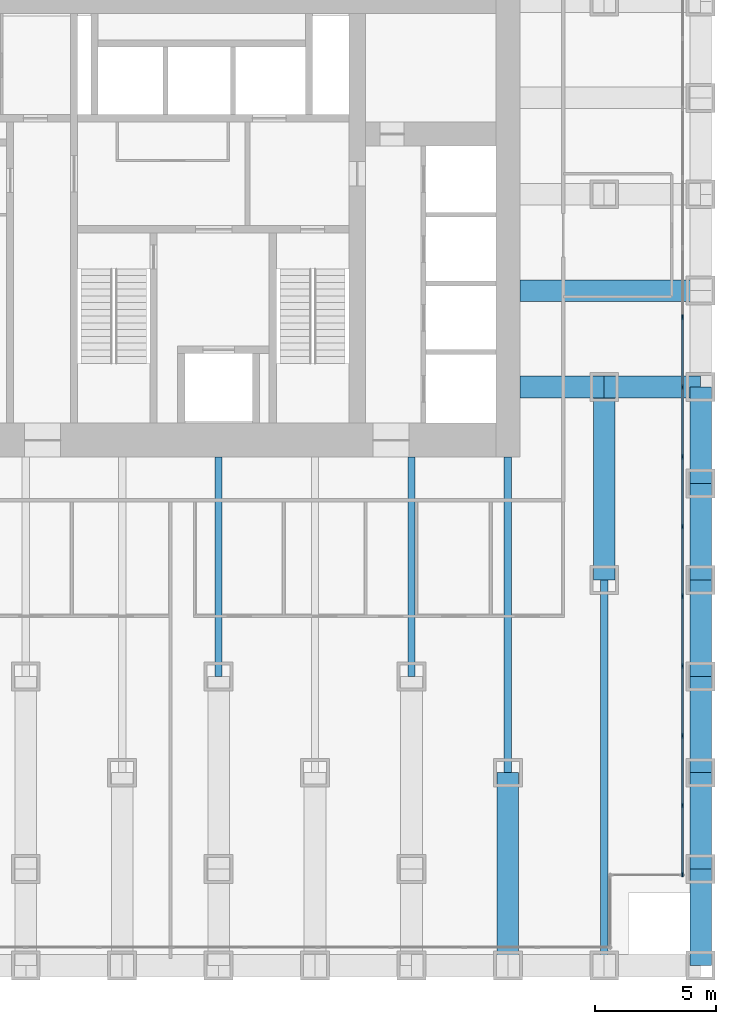
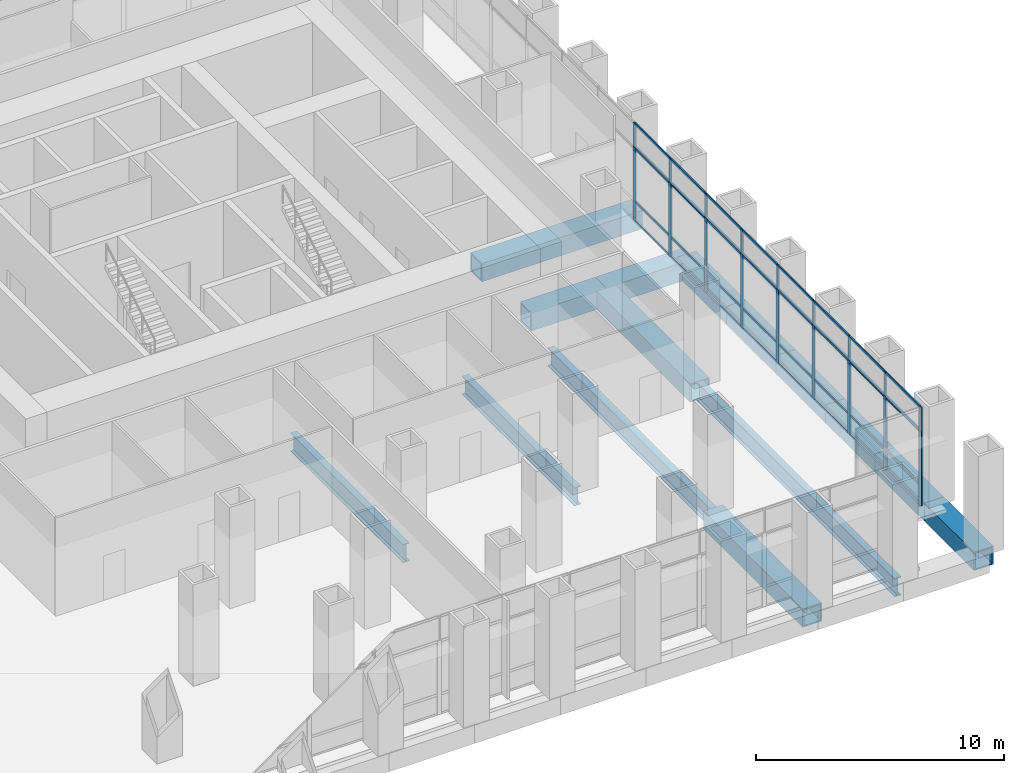
# One storey, part 6 of 18: 58 members, 15 beams, 2 elements without a shape of their own.
"""IFC4 building model written with IfcOpenShell, lengths in metres."""

import ifcopenshell
import ifcopenshell.guid

model = None  # the IFC model being written
_history = None  # IfcOwnerHistory: only IFC2X3 demands one
_inside = {}  # id of a spatial element -> (the spatial element, [elements in it])
_under = {}  # id of a project, library or spatial element -> (it, [spatial elements below it])
_declared = {}  # id of a project -> (the project, [libraries it declares])
_typed = {}  # id of a type object -> (the type object, [elements of that type])
_made_of = {}  # id of a material, layer set ... -> (it, [elements and type objects made of it])


def new_model(schema):
    """Start an empty IFC model of exactly this schema.

    Asked for "IFC4X3", IfcOpenShell would pick the latest addendum, in which some entities
    have other attributes; the version numbers below select the first issue.
    IFC2X3 requires an IfcOwnerHistory on every rooted entity: one is made here for all.
    """
    global model, _history
    if schema == "IFC4X3":
        model = ifcopenshell.file(schema_version=(4, 3, 0, 0))
    else:
        model = ifcopenshell.file(schema=schema)
    _inside.clear()
    _under.clear()
    _declared.clear()
    _typed.clear()
    _made_of.clear()
    _history = None
    if model.schema == "IFC2X3":
        org = make("IfcOrganization", Name="unknown")
        user = make(
            "IfcPersonAndOrganization",
            ThePerson=make("IfcPerson", FamilyName="unknown"),
            TheOrganization=org,
        )
        app = make(
            "IfcApplication",
            ApplicationDeveloper=org,
            Version="unknown",
            ApplicationFullName="unknown",
            ApplicationIdentifier="unknown",
        )
        _history = make(
            "IfcOwnerHistory",
            OwningUser=user,
            OwningApplication=app,
            ChangeAction="ADDED",
            CreationDate=0,
        )
    return model


def make(cls, **values):
    """One entity of the class cls with the attributes given. An attribute that is None is left unset."""
    return model.create_entity(
        cls, **{name: value for name, value in values.items() if value is not None}
    )


def rooted(cls, **values):
    """An entity with a GlobalId (a new one), such as an element, a storey or a relation."""
    return make(cls, GlobalId=ifcopenshell.guid.new(), OwnerHistory=_history, **values)


def si_unit(unit_type, name, prefix=None):
    """IfcSIUnit, for example si_unit("LENGTHUNIT", "METRE", prefix="MILLI")."""
    return make("IfcSIUnit", UnitType=unit_type, Prefix=prefix, Name=name)


def assignment(units):
    """IfcUnitAssignment: the units of a project."""
    return None if units is None else make("IfcUnitAssignment", Units=units)


def point(xyz):
    """IfcCartesianPoint."""
    return None if xyz is None else make("IfcCartesianPoint", Coordinates=xyz)


def direction(xyz):
    """IfcDirection."""
    return None if xyz is None else make("IfcDirection", DirectionRatios=xyz)


def frame(location, z_axis=None, x_axis=None):
    """IfcAxis2Placement3D, a coordinate frame: its origin and axes. An axis left out is left unset."""
    return make(
        "IfcAxis2Placement3D",
        Location=point(location),
        Axis=direction(z_axis),
        RefDirection=direction(x_axis),
    )


def frame_2d(location, x_axis=None):
    """IfcAxis2Placement2D, a coordinate frame in the plane: its origin and x axis."""
    return make(
        "IfcAxis2Placement2D", Location=point(location), RefDirection=direction(x_axis)
    )


def origin():
    """The frame at (0, 0, 0) with its axes left unset."""
    return frame((0.0, 0.0, 0.0))


def origin_2d():
    """The frame at (0, 0) in the plane with its x axis left unset."""
    return frame_2d((0.0, 0.0))


def place(relative_to, where):
    """IfcLocalPlacement: puts the frame where relative to a parent placement (None: the world)."""
    return make(
        "IfcLocalPlacement", PlacementRelTo=relative_to, RelativePlacement=where
    )


def context(
    kind, dimensions, precision=None, world=None, true_north=None, identifier=None
):
    """IfcGeometricRepresentationContext, for example the 3D "Model" context."""
    return make(
        "IfcGeometricRepresentationContext",
        ContextIdentifier=identifier,
        ContextType=kind,
        CoordinateSpaceDimension=dimensions,
        Precision=precision,
        WorldCoordinateSystem=world,
        TrueNorth=true_north,
    )


def subcontext(parent, identifier, kind, view, scale=None):
    """IfcGeometricRepresentationSubContext, for example "Body" below "Model"."""
    return make(
        "IfcGeometricRepresentationSubContext",
        ContextIdentifier=identifier,
        ContextType=kind,
        ParentContext=parent,
        TargetScale=scale,
        TargetView=view,
    )


def project(units=None, contexts=None):
    """IfcProject with its units and contexts."""
    return rooted(
        "IfcProject",
        Name="project",
        RepresentationContexts=contexts,
        UnitsInContext=assignment(units),
    )


def spatial(cls, under=None, at=None, **own):
    """A site, building, storey or space (cls), placed at a placement, below another one or the project."""
    s = rooted(cls, ObjectPlacement=at, **own)
    if under is not None:
        _under.setdefault(under.id(), (under, []))[1].append(s)
    return s


def profile(cls, at=None, kind="AREA", **sizes):
    """A parametric profile (cls). Its sizes go by their IFC names, for example OverallWidth=200.0."""
    return make(cls, ProfileType=kind, Position=at, **sizes)


def rectangle(**sizes):
    """IfcRectangleProfileDef."""
    return profile("IfcRectangleProfileDef", **sizes)


def hollow_rectangle(**sizes):
    """IfcRectangleHollowProfileDef."""
    return profile("IfcRectangleHollowProfileDef", **sizes)


def i_section(**sizes):
    """IfcIShapeProfileDef."""
    return profile("IfcIShapeProfileDef", **sizes)


def extrude(swept, where, along, depth):
    """IfcExtrudedAreaSolid: the profile swept, set in the frame where, extruded along a direction by depth."""
    return make(
        "IfcExtrudedAreaSolid",
        SweptArea=swept,
        Position=where,
        ExtrudedDirection=direction(along),
        Depth=depth,
    )


def shape(context_of_items, identifier, shape_type, items):
    """IfcShapeRepresentation: the items that make up one representation, for example the "Body"."""
    return make(
        "IfcShapeRepresentation",
        ContextOfItems=context_of_items,
        RepresentationIdentifier=identifier,
        RepresentationType=shape_type,
        Items=items,
    )


def material(Name=None, Category=None):
    """IfcMaterial."""
    return make("IfcMaterial", Name=Name, Category=Category)


def material_profile(
    of_material, cross_section, Name=None, Category=None, Priority=None
):
    """IfcMaterialProfile: a cross section and its material."""
    return make(
        "IfcMaterialProfile",
        Name=Name,
        Material=of_material,
        Profile=cross_section,
        Priority=Priority,
        Category=Category,
    )


def profile_set(profiles, Name=None, composite=None):
    """IfcMaterialProfileSet."""
    return make(
        "IfcMaterialProfileSet",
        Name=Name,
        MaterialProfiles=profiles,
        CompositeProfile=composite,
    )


def made_of(thing, what):
    """Note that an element or type object is made of a material, layer set ...; save() writes the relation."""
    if what is not None:
        _made_of.setdefault(what.id(), (what, []))[1].append(thing)
    return thing


def type_object(cls, material=None, **own):
    """A type object (cls), such as IfcWallType, which elements share."""
    return made_of(rooted(cls, **own), material)


def element(
    cls,
    number,
    at=None,
    inside=None,
    cuts=None,
    type_object=None,
    material=None,
    context=None,
    identifier="Body",
    shape_type=None,
    held_by="IfcProductDefinitionShape",
    body=None,
    shapes=None,
    **own,
):
    """One element of the class cls, such as IfcWall. Its Tag is "e" and its number.

    at: its placement. inside: the storey or other place that contains it. cuts: it is an
    opening in that element (IfcRelVoidsElement). A single representation is given by context,
    identifier, shape_type and body (its items); several are given by shapes. held_by: the class
    of the entity that holds the representations. save() writes the other relations.
    """
    e = rooted(cls, Tag="e%d" % number, ObjectPlacement=at, **own)
    if body is not None:
        shapes = [shape(context, identifier, shape_type, body)]
    if shapes is not None:
        e.Representation = make(held_by, Representations=shapes)
    if inside is not None:
        _inside.setdefault(inside.id(), (inside, []))[1].append(e)
    if cuts is not None:
        rooted(
            "IfcRelVoidsElement", RelatingBuildingElement=cuts, RelatedOpeningElement=e
        )
    if type_object is not None:
        _typed.setdefault(type_object.id(), (type_object, []))[1].append(e)
    return made_of(e, material)


def aggregate(whole, parts):
    """IfcRelAggregates: a whole, such as a stair, and the parts it consists of."""
    return rooted("IfcRelAggregates", RelatingObject=whole, RelatedObjects=parts)


def save(model, path):
    """Write the relations noted so far, then the file.

    IfcRelAggregates (storeys below a building ...), IfcRelContainedInSpatialStructure (elements
    in a storey), IfcRelDefinesByType, IfcRelAssociatesMaterial and IfcRelDeclares: one each for
    every whole, place, type object, material and project.
    """
    for whole, parts in _under.values():
        aggregate(whole, parts)
    for where, things in _inside.values():
        rooted(
            "IfcRelContainedInSpatialStructure",
            RelatedElements=things,
            RelatingStructure=where,
        )
    for kind, things in _typed.values():
        rooted("IfcRelDefinesByType", RelatedObjects=things, RelatingType=kind)
    for what, things in _made_of.values():
        rooted("IfcRelAssociatesMaterial", RelatedObjects=things, RelatingMaterial=what)
    for by, libraries in _declared.values():
        rooted("IfcRelDeclares", RelatingContext=by, RelatedDefinitions=libraries)
    model.write(path)


model = new_model("IFC4")

# Units and contexts
model_context = context("Model", 3, precision=1e-05, world=origin(), true_north=direction((0.0, 1.0)))
body_context = subcontext(model_context, "Body", "Model", "MODEL_VIEW")
ifc_project = project(units=[si_unit("LENGTHUNIT", "METRE"), si_unit("AREAUNIT", "SQUARE_METRE"), si_unit("VOLUMEUNIT", "CUBIC_METRE"), si_unit("PLANEANGLEUNIT", "RADIAN"), si_unit("MASSUNIT", "GRAM", prefix="KILO")], contexts=[model_context])

# Site, building, storey
site_placement = place(None, origin())
site = spatial("IfcSite", under=ifc_project, at=site_placement, CompositionType="ELEMENT")
building_placement = place(site_placement, origin())
building = spatial("IfcBuilding", under=site, at=building_placement, Name="Rimbunsela Tower", CompositionType="ELEMENT")
storey_placement = place(building_placement, frame((0.0, 0.0, 6.0)))
storey = spatial("IfcBuildingStorey", under=building, at=storey_placement, Name="L01", CompositionType="ELEMENT", Elevation=6.0)

# Beams
ifc_material_1 = material(Name="Steel BJ 55 (fy 410 MPa)", Category="steel")
ifc_material_profile_1 = material_profile(ifc_material_1, hollow_rectangle(XDim=0.89990234375, YDim=0.89990234375, WallThickness=0.06005859375, at=origin_2d()), Name="BOX 900x900x60")
ifc_profile_set_1 = profile_set([ifc_material_profile_1], Name="Steel BJ 55 (fy 410 MPa)")
beam_type_1 = type_object("IfcBeamType", Name="Beam BOX 900x900x60", PredefinedType="BEAM", material=ifc_profile_set_1)
beam_1_placement = place(storey_placement, frame((42.0, -4.0, -0.60009765625), z_axis=(0.0, 1.0, 0.0), x_axis=(-1.0, 0.0, 0.0)))
element("IfcBeam", 1, at=beam_1_placement, inside=storey, type_object=beam_type_1, Name="Beam B1 L01", PredefinedType="BEAM", context=body_context, shape_type="SweptSolid", body=[
    extrude(hollow_rectangle(XDim=0.89990234375, YDim=0.89990234375, WallThickness=0.06005859375, at=origin_2d()), origin(), (0.0, 0.0, 1.0), 8.0),
])
beam_2_placement = place(storey_placement, frame((42.5, 20.0, -0.60009765625), z_axis=(1.0, 0.0, 0.0), x_axis=(0.0, 1.0, 0.0)))
element("IfcBeam", 2, at=beam_2_placement, inside=storey, type_object=beam_type_1, Name="Beam B1 L01", PredefinedType="BEAM", context=body_context, shape_type="SweptSolid", body=[
    extrude(hollow_rectangle(XDim=0.89990234375, YDim=0.89990234375, WallThickness=0.06005859375, at=origin_2d()), origin(), (0.0, 0.0, 1.0), 3.5),
])
beam_3_placement = place(storey_placement, frame((42.5, 24.0, -0.60009765625), z_axis=(1.0, 0.0, 0.0), x_axis=(0.0, 1.0, 0.0)))
element("IfcBeam", 3, at=beam_3_placement, inside=storey, type_object=beam_type_1, Name="Beam B1 L01", PredefinedType="BEAM", context=body_context, shape_type="SweptSolid", body=[
    extrude(hollow_rectangle(XDim=0.89990234375, YDim=0.89990234375, WallThickness=0.06005859375, at=origin_2d()), origin(), (0.0, 0.0, 1.0), 7.5),
])
beam_4_placement = place(storey_placement, frame((46.0, 12.0, -0.60009765625), z_axis=(0.0, 1.0, 0.0), x_axis=(-1.0, 0.0, 0.0)))
element("IfcBeam", 4, at=beam_4_placement, inside=storey, type_object=beam_type_1, Name="Beam B1 L01", PredefinedType="BEAM", context=body_context, shape_type="SweptSolid", body=[
    extrude(hollow_rectangle(XDim=0.89990234375, YDim=0.89990234375, WallThickness=0.06005859375, at=origin_2d()), origin(), (0.0, 0.0, 1.0), 8.0),
])
for number, where, z_axis, x_axis, name in (
    (5, (46.0, 20.0, -0.60009765625), (1.0, 0.0, 0.0), (0.0, 1.0, 0.0), "Beam B1 L01"),
    (6, (50.0, -4.0, -0.60009765625), (0.0, 1.0, 0.0), (-1.0, 0.0, 0.0), "Beam B1 L01"),
    (7, (50.0, 0.0, -0.60009765625), (0.0, 1.0, 0.0), (-1.0, 0.0, 0.0), "Beam B1 L01"),
    (8, (50.0, 4.0, -0.60009765625), (0.0, 1.0, 0.0), (-1.0, 0.0, 0.0), "Beam B1 L01"),
    (9, (50.0, 8.0, -0.60009765625), (0.0, 1.0, 0.0), (-1.0, 0.0, 0.0), "Beam B1 L01"),
    (10, (50.0, 12.0, -0.60009765625), (0.0, 1.0, 0.0), (-1.0, 0.0, 0.0), "Beam B1 L01"),
    (11, (50.0, 16.0, -0.60009765625), (0.0, 1.0, 0.0), (-1.0, 0.0, 0.0), "Beam B1 L01"),
):
    element("IfcBeam", number, at=place(storey_placement, frame(where, z_axis=z_axis, x_axis=x_axis)), inside=storey, type_object=beam_type_1, Name=name, PredefinedType="BEAM", context=body_context, shape_type="SweptSolid", body=[
        extrude(hollow_rectangle(XDim=0.89990234375, YDim=0.89990234375, WallThickness=0.06005859375, at=origin_2d()), origin(), (0.0, 0.0, 1.0), 4.0),
    ])
ifc_material_2 = material(Name="Steel BJ 55 (fy 410 MPa)", Category="steel")
ifc_material_profile_2 = material_profile(ifc_material_2, i_section(OverallWidth=0.300048828125, OverallDepth=0.89990234375, WebThickness=0.01611328125, FlangeThickness=0.028076171875, FilletRadius=0.028076171875, at=origin_2d()), Name="H 900x300x16x28")
ifc_profile_set_2 = profile_set([ifc_material_profile_2], Name="Steel BJ 55 (fy 410 MPa)")
beam_type_2 = type_object("IfcBeamType", Name="Beam H 900x300x16x28", PredefinedType="BEAM", material=ifc_profile_set_2)
for number, where, z_axis, x_axis, name in (
    (12, (30.0, 8.0, -0.60009765625), (0.0, 1.0, 0.0), (-1.0, 0.0, 0.0), "Beam B2 L01"),
    (13, (38.0, 8.0, -0.60009765625), (0.0, 1.0, 0.0), (-1.0, 0.0, 0.0), "Beam B2 L01"),
):
    element("IfcBeam", number, at=place(storey_placement, frame(where, z_axis=z_axis, x_axis=x_axis)), inside=storey, type_object=beam_type_2, Name=name, PredefinedType="BEAM", context=body_context, shape_type="SweptSolid", body=[
        extrude(i_section(OverallWidth=0.300048828125, OverallDepth=0.89990234375, WebThickness=0.01611328125, FlangeThickness=0.028076171875, FilletRadius=0.028076171875, at=origin_2d()), origin(), (0.0, 0.0, 1.0), 9.10009765625),
    ])
beam_5_placement = place(storey_placement, frame((42.0, 4.0, -0.60009765625), z_axis=(0.0, 1.0, 0.0), x_axis=(-1.0, 0.0, 0.0)))
element("IfcBeam", 14, at=beam_5_placement, inside=storey, type_object=beam_type_2, Name="Beam B2 L01", PredefinedType="BEAM", context=body_context, shape_type="SweptSolid", body=[
    extrude(i_section(OverallWidth=0.300048828125, OverallDepth=0.89990234375, WebThickness=0.01611328125, FlangeThickness=0.028076171875, FilletRadius=0.028076171875, at=origin_2d()), origin(), (0.0, 0.0, 1.0), 13.10009765625),
])
beam_6_placement = place(storey_placement, frame((46.0, -4.0, -0.60009765625), z_axis=(0.0, 1.0, 0.0), x_axis=(-1.0, 0.0, 0.0)))
element("IfcBeam", 15, at=beam_6_placement, inside=storey, type_object=beam_type_2, Name="Beam B2 L01", PredefinedType="BEAM", context=body_context, shape_type="SweptSolid", body=[
    extrude(i_section(OverallWidth=0.300048828125, OverallDepth=0.89990234375, WebThickness=0.01611328125, FlangeThickness=0.028076171875, FilletRadius=0.028076171875, at=origin_2d()), origin(), (0.0, 0.0, 1.0), 16.0),
])

# Curtain wall, members
ifc_material_3 = material(Name="Aluminium curtain wall", Category="aluminium")
curtain_wall_type_1 = type_object("IfcCurtainWallType", Name="Spandrel wall", PredefinedType="USERDEFINED", material=ifc_material_3)
curtain_wall_1_placement = place(storey_placement, origin())
curtain_wall_1 = element("IfcCurtainWall", 16, at=curtain_wall_1_placement, inside=storey, type_object=curtain_wall_type_1, Name="Spandrel wall L01", ObjectType="SPANDREL WALL", PredefinedType="USERDEFINED")
ifc_material_4 = material(Name="Aluminium mullion", Category="aluminium")
ifc_material_profile_3 = material_profile(ifc_material_4, rectangle(XDim=0.06005859375, YDim=0.159912109375, at=origin_2d()), Name="Mullion 60x160")
ifc_profile_set_3 = profile_set([ifc_material_profile_3], Name="Aluminium mullion")
member_type_1 = type_object("IfcMemberType", Name="Curtain wall mullion 60x160", PredefinedType="MULLION", material=ifc_profile_set_3)
member_1_placement = place(storey_placement, frame((49.25, -0.219970703125, 3.64990234375), z_axis=(0.0, 0.0, 1.0), x_axis=(-1.0, 0.0, 0.0)))
member_1 = element("IfcMember", 17, at=member_1_placement, type_object=member_type_1, Name="CW7 mullion 1", PredefinedType="MULLION", context=body_context, shape_type="SweptSolid", body=[
    extrude(rectangle(XDim=0.06005859375, YDim=0.159912109375, at=origin_2d()), origin(), (0.0, 0.0, 1.0), 1.2001953125),
])
member_2_placement = place(storey_placement, frame((49.25, 2.642822265625, 3.64990234375), z_axis=(0.0, 0.0, 1.0), x_axis=(-1.0, 0.0, 0.0)))
member_2 = element("IfcMember", 18, at=member_2_placement, type_object=member_type_1, Name="CW7 mullion 2", PredefinedType="MULLION", context=body_context, shape_type="SweptSolid", body=[
    extrude(rectangle(XDim=0.06005859375, YDim=0.159912109375, at=origin_2d()), origin(), (0.0, 0.0, 1.0), 1.2001953125),
])
member_3_placement = place(storey_placement, frame((49.25, 5.53564453125, 3.64990234375), z_axis=(0.0, 0.0, 1.0), x_axis=(-1.0, 0.0, 0.0)))
member_3 = element("IfcMember", 19, at=member_3_placement, type_object=member_type_1, Name="CW7 mullion 3", PredefinedType="MULLION", context=body_context, shape_type="SweptSolid", body=[
    extrude(rectangle(XDim=0.06005859375, YDim=0.159912109375, at=origin_2d()), origin(), (0.0, 0.0, 1.0), 1.2001953125),
])
member_4_placement = place(storey_placement, frame((49.25, 8.428466796875, 3.64990234375), z_axis=(0.0, 0.0, 1.0), x_axis=(-1.0, 0.0, 0.0)))
member_4 = element("IfcMember", 20, at=member_4_placement, type_object=member_type_1, Name="CW7 mullion 4", PredefinedType="MULLION", context=body_context, shape_type="SweptSolid", body=[
    extrude(rectangle(XDim=0.06005859375, YDim=0.159912109375, at=origin_2d()), origin(), (0.0, 0.0, 1.0), 1.2001953125),
])
member_5_placement = place(storey_placement, frame((49.25, 11.321533203125, 3.64990234375), z_axis=(0.0, 0.0, 1.0), x_axis=(-1.0, 0.0, 0.0)))
member_5 = element("IfcMember", 21, at=member_5_placement, type_object=member_type_1, Name="CW7 mullion 5", PredefinedType="MULLION", context=body_context, shape_type="SweptSolid", body=[
    extrude(rectangle(XDim=0.06005859375, YDim=0.159912109375, at=origin_2d()), origin(), (0.0, 0.0, 1.0), 1.2001953125),
])
member_6_placement = place(storey_placement, frame((49.25, 14.21435546875, 3.64990234375), z_axis=(0.0, 0.0, 1.0), x_axis=(-1.0, 0.0, 0.0)))
member_6 = element("IfcMember", 22, at=member_6_placement, type_object=member_type_1, Name="CW7 mullion 6", PredefinedType="MULLION", context=body_context, shape_type="SweptSolid", body=[
    extrude(rectangle(XDim=0.06005859375, YDim=0.159912109375, at=origin_2d()), origin(), (0.0, 0.0, 1.0), 1.2001953125),
])
member_7_placement = place(storey_placement, frame((49.25, 17.107177734375, 3.64990234375), z_axis=(0.0, 0.0, 1.0), x_axis=(-1.0, 0.0, 0.0)))
member_7 = element("IfcMember", 23, at=member_7_placement, type_object=member_type_1, Name="CW7 mullion 7", PredefinedType="MULLION", context=body_context, shape_type="SweptSolid", body=[
    extrude(rectangle(XDim=0.06005859375, YDim=0.159912109375, at=origin_2d()), origin(), (0.0, 0.0, 1.0), 1.2001953125),
])
member_8_placement = place(storey_placement, frame((49.25, 20.0, 3.64990234375), z_axis=(0.0, 0.0, 1.0), x_axis=(-1.0, 0.0, 0.0)))
member_8 = element("IfcMember", 24, at=member_8_placement, type_object=member_type_1, Name="CW7 mullion 8", PredefinedType="MULLION", context=body_context, shape_type="SweptSolid", body=[
    extrude(rectangle(XDim=0.06005859375, YDim=0.159912109375, at=origin_2d()), origin(), (0.0, 0.0, 1.0), 1.2001953125),
])
member_9_placement = place(storey_placement, frame((49.25, 22.892822265625, 3.64990234375), z_axis=(0.0, 0.0, 1.0), x_axis=(-1.0, 0.0, 0.0)))
member_9 = element("IfcMember", 25, at=member_9_placement, type_object=member_type_1, Name="CW7 mullion 9", PredefinedType="MULLION", context=body_context, shape_type="SweptSolid", body=[
    extrude(rectangle(XDim=0.06005859375, YDim=0.159912109375, at=origin_2d()), origin(), (0.0, 0.0, 1.0), 1.2001953125),
])

ifc_material_5 = material(Name="Aluminium curtain wall", Category="aluminium")
curtain_wall_type_2 = type_object("IfcCurtainWallType", Name="Podium glazing", PredefinedType="USERDEFINED", material=ifc_material_5)
curtain_wall_2_placement = place(storey_placement, origin())
curtain_wall_2 = element("IfcCurtainWall", 26, at=curtain_wall_2_placement, inside=storey, type_object=curtain_wall_type_2, Name="Podium glazing L01", ObjectType="PODIUM GLAZING", PredefinedType="USERDEFINED")
ifc_material_6 = material(Name="Aluminium mullion", Category="aluminium")
ifc_material_profile_4 = material_profile(ifc_material_6, rectangle(XDim=0.06005859375, YDim=0.199951171875, at=origin_2d()), Name="Mullion 60x200")
ifc_profile_set_4 = profile_set([ifc_material_profile_4], Name="Aluminium mullion")
member_type_2 = type_object("IfcMemberType", Name="Curtain wall mullion 60x200", PredefinedType="MULLION", material=ifc_profile_set_4)
member_10_placement = place(storey_placement, frame((49.25, -0.219970703125, 0.0), z_axis=(0.0, 0.0, 1.0), x_axis=(-1.0, 0.0, 0.0)))
member_10 = element("IfcMember", 27, at=member_10_placement, type_object=member_type_2, Name="CW1 mullion 1", PredefinedType="MULLION", context=body_context, shape_type="SweptSolid", body=[
    extrude(rectangle(XDim=0.06005859375, YDim=0.199951171875, at=origin_2d()), origin(), (0.0, 0.0, 1.0), 3.64990234375),
])
member_11_placement = place(storey_placement, frame((49.25, 2.642822265625, 0.0), z_axis=(0.0, 0.0, 1.0), x_axis=(-1.0, 0.0, 0.0)))
member_11 = element("IfcMember", 28, at=member_11_placement, type_object=member_type_2, Name="CW1 mullion 2", PredefinedType="MULLION", context=body_context, shape_type="SweptSolid", body=[
    extrude(rectangle(XDim=0.06005859375, YDim=0.199951171875, at=origin_2d()), origin(), (0.0, 0.0, 1.0), 3.64990234375),
])
member_12_placement = place(storey_placement, frame((49.25, 5.53564453125, 0.0), z_axis=(0.0, 0.0, 1.0), x_axis=(-1.0, 0.0, 0.0)))
member_12 = element("IfcMember", 29, at=member_12_placement, type_object=member_type_2, Name="CW1 mullion 3", PredefinedType="MULLION", context=body_context, shape_type="SweptSolid", body=[
    extrude(rectangle(XDim=0.06005859375, YDim=0.199951171875, at=origin_2d()), origin(), (0.0, 0.0, 1.0), 3.64990234375),
])
member_13_placement = place(storey_placement, frame((49.25, 8.428466796875, 0.0), z_axis=(0.0, 0.0, 1.0), x_axis=(-1.0, 0.0, 0.0)))
member_13 = element("IfcMember", 30, at=member_13_placement, type_object=member_type_2, Name="CW1 mullion 4", PredefinedType="MULLION", context=body_context, shape_type="SweptSolid", body=[
    extrude(rectangle(XDim=0.06005859375, YDim=0.199951171875, at=origin_2d()), origin(), (0.0, 0.0, 1.0), 3.64990234375),
])
member_14_placement = place(storey_placement, frame((49.25, 11.321533203125, 0.0), z_axis=(0.0, 0.0, 1.0), x_axis=(-1.0, 0.0, 0.0)))
member_14 = element("IfcMember", 31, at=member_14_placement, type_object=member_type_2, Name="CW1 mullion 5", PredefinedType="MULLION", context=body_context, shape_type="SweptSolid", body=[
    extrude(rectangle(XDim=0.06005859375, YDim=0.199951171875, at=origin_2d()), origin(), (0.0, 0.0, 1.0), 3.64990234375),
])
member_15_placement = place(storey_placement, frame((49.25, 14.21435546875, 0.0), z_axis=(0.0, 0.0, 1.0), x_axis=(-1.0, 0.0, 0.0)))
member_15 = element("IfcMember", 32, at=member_15_placement, type_object=member_type_2, Name="CW1 mullion 6", PredefinedType="MULLION", context=body_context, shape_type="SweptSolid", body=[
    extrude(rectangle(XDim=0.06005859375, YDim=0.199951171875, at=origin_2d()), origin(), (0.0, 0.0, 1.0), 3.64990234375),
])
member_16_placement = place(storey_placement, frame((49.25, 17.107177734375, 0.0), z_axis=(0.0, 0.0, 1.0), x_axis=(-1.0, 0.0, 0.0)))
member_16 = element("IfcMember", 33, at=member_16_placement, type_object=member_type_2, Name="CW1 mullion 7", PredefinedType="MULLION", context=body_context, shape_type="SweptSolid", body=[
    extrude(rectangle(XDim=0.06005859375, YDim=0.199951171875, at=origin_2d()), origin(), (0.0, 0.0, 1.0), 3.64990234375),
])
member_17_placement = place(storey_placement, frame((49.25, 20.0, 0.0), z_axis=(0.0, 0.0, 1.0), x_axis=(-1.0, 0.0, 0.0)))
member_17 = element("IfcMember", 34, at=member_17_placement, type_object=member_type_2, Name="CW1 mullion 8", PredefinedType="MULLION", context=body_context, shape_type="SweptSolid", body=[
    extrude(rectangle(XDim=0.06005859375, YDim=0.199951171875, at=origin_2d()), origin(), (0.0, 0.0, 1.0), 3.64990234375),
])
member_18_placement = place(storey_placement, frame((49.25, 22.892822265625, 0.0), z_axis=(0.0, 0.0, 1.0), x_axis=(-1.0, 0.0, 0.0)))
member_18 = element("IfcMember", 35, at=member_18_placement, type_object=member_type_2, Name="CW1 mullion 9", PredefinedType="MULLION", context=body_context, shape_type="SweptSolid", body=[
    extrude(rectangle(XDim=0.06005859375, YDim=0.199951171875, at=origin_2d()), origin(), (0.0, 0.0, 1.0), 3.64990234375),
])
ifc_material_7 = material(Name="Aluminium transom", Category="aluminium")
ifc_material_profile_5 = material_profile(ifc_material_7, rectangle(XDim=0.06005859375, YDim=0.1201171875, at=origin_2d()), Name="Transom 60x120")
ifc_profile_set_5 = profile_set([ifc_material_profile_5], Name="Aluminium transom")
member_type_3 = type_object("IfcMemberType", Name="Curtain wall transom 60x120", PredefinedType="USERDEFINED", material=ifc_profile_set_5)
member_19_placement = place(storey_placement, frame((49.25, -0.18994140625, 0.030029296875), z_axis=(0.0, 1.0, 0.0), x_axis=(-1.0, 0.0, 0.0)))
member_19 = element("IfcMember", 36, at=member_19_placement, type_object=member_type_3, Name="CW1 transom 1.1", ObjectType="TRANSOM", PredefinedType="USERDEFINED", context=body_context, shape_type="SweptSolid", body=[
    extrude(rectangle(XDim=0.06005859375, YDim=0.1201171875, at=origin_2d()), origin(), (0.0, 0.0, 1.0), 2.802734375),
])
member_20_placement = place(storey_placement, frame((49.25, -0.18994140625, 1.0), z_axis=(0.0, 1.0, 0.0), x_axis=(-1.0, 0.0, 0.0)))
member_20 = element("IfcMember", 37, at=member_20_placement, type_object=member_type_3, Name="CW1 transom 1.2", ObjectType="TRANSOM", PredefinedType="USERDEFINED", context=body_context, shape_type="SweptSolid", body=[
    extrude(rectangle(XDim=0.06005859375, YDim=0.1201171875, at=origin_2d()), origin(), (0.0, 0.0, 1.0), 2.802734375),
])
member_21_placement = place(storey_placement, frame((49.25, -0.18994140625, 3.6201171875), z_axis=(0.0, 1.0, 0.0), x_axis=(-1.0, 0.0, 0.0)))
member_21 = element("IfcMember", 38, at=member_21_placement, type_object=member_type_3, Name="CW1 transom 1.3", ObjectType="TRANSOM", PredefinedType="USERDEFINED", context=body_context, shape_type="SweptSolid", body=[
    extrude(rectangle(XDim=0.06005859375, YDim=0.1201171875, at=origin_2d()), origin(), (0.0, 0.0, 1.0), 2.802734375),
])
member_22_placement = place(storey_placement, frame((49.25, 2.6728515625, 0.030029296875), z_axis=(0.0, 1.0, 0.0), x_axis=(-1.0, 0.0, 0.0)))
member_22 = element("IfcMember", 39, at=member_22_placement, type_object=member_type_3, Name="CW1 transom 2.1", ObjectType="TRANSOM", PredefinedType="USERDEFINED", context=body_context, shape_type="SweptSolid", body=[
    extrude(rectangle(XDim=0.06005859375, YDim=0.1201171875, at=origin_2d()), origin(), (0.0, 0.0, 1.0), 2.832763671875),
])
member_23_placement = place(storey_placement, frame((49.25, 2.6728515625, 1.0), z_axis=(0.0, 1.0, 0.0), x_axis=(-1.0, 0.0, 0.0)))
member_23 = element("IfcMember", 40, at=member_23_placement, type_object=member_type_3, Name="CW1 transom 2.2", ObjectType="TRANSOM", PredefinedType="USERDEFINED", context=body_context, shape_type="SweptSolid", body=[
    extrude(rectangle(XDim=0.06005859375, YDim=0.1201171875, at=origin_2d()), origin(), (0.0, 0.0, 1.0), 2.832763671875),
])
member_24_placement = place(storey_placement, frame((49.25, 2.6728515625, 3.6201171875), z_axis=(0.0, 1.0, 0.0), x_axis=(-1.0, 0.0, 0.0)))
member_24 = element("IfcMember", 41, at=member_24_placement, type_object=member_type_3, Name="CW1 transom 2.3", ObjectType="TRANSOM", PredefinedType="USERDEFINED", context=body_context, shape_type="SweptSolid", body=[
    extrude(rectangle(XDim=0.06005859375, YDim=0.1201171875, at=origin_2d()), origin(), (0.0, 0.0, 1.0), 2.832763671875),
])
member_25_placement = place(storey_placement, frame((49.25, 5.565673828125, 0.030029296875), z_axis=(0.0, 1.0, 0.0), x_axis=(-1.0, 0.0, 0.0)))
member_25 = element("IfcMember", 42, at=member_25_placement, type_object=member_type_3, Name="CW1 transom 3.1", ObjectType="TRANSOM", PredefinedType="USERDEFINED", context=body_context, shape_type="SweptSolid", body=[
    extrude(rectangle(XDim=0.06005859375, YDim=0.1201171875, at=origin_2d()), origin(), (0.0, 0.0, 1.0), 2.8330078125),
])
member_26_placement = place(storey_placement, frame((49.25, 5.565673828125, 1.0), z_axis=(0.0, 1.0, 0.0), x_axis=(-1.0, 0.0, 0.0)))
member_26 = element("IfcMember", 43, at=member_26_placement, type_object=member_type_3, Name="CW1 transom 3.2", ObjectType="TRANSOM", PredefinedType="USERDEFINED", context=body_context, shape_type="SweptSolid", body=[
    extrude(rectangle(XDim=0.06005859375, YDim=0.1201171875, at=origin_2d()), origin(), (0.0, 0.0, 1.0), 2.8330078125),
])
member_27_placement = place(storey_placement, frame((49.25, 5.565673828125, 3.6201171875), z_axis=(0.0, 1.0, 0.0), x_axis=(-1.0, 0.0, 0.0)))
member_27 = element("IfcMember", 44, at=member_27_placement, type_object=member_type_3, Name="CW1 transom 3.3", ObjectType="TRANSOM", PredefinedType="USERDEFINED", context=body_context, shape_type="SweptSolid", body=[
    extrude(rectangle(XDim=0.06005859375, YDim=0.1201171875, at=origin_2d()), origin(), (0.0, 0.0, 1.0), 2.8330078125),
])
member_28_placement = place(storey_placement, frame((49.25, 8.45849609375, 0.030029296875), z_axis=(0.0, 1.0, 0.0), x_axis=(-1.0, 0.0, 0.0)))
member_28 = element("IfcMember", 45, at=member_28_placement, type_object=member_type_3, Name="CW1 transom 4.1", ObjectType="TRANSOM", PredefinedType="USERDEFINED", context=body_context, shape_type="SweptSolid", body=[
    extrude(rectangle(XDim=0.06005859375, YDim=0.1201171875, at=origin_2d()), origin(), (0.0, 0.0, 1.0), 2.8330078125),
])
member_29_placement = place(storey_placement, frame((49.25, 8.45849609375, 1.0), z_axis=(0.0, 1.0, 0.0), x_axis=(-1.0, 0.0, 0.0)))
member_29 = element("IfcMember", 46, at=member_29_placement, type_object=member_type_3, Name="CW1 transom 4.2", ObjectType="TRANSOM", PredefinedType="USERDEFINED", context=body_context, shape_type="SweptSolid", body=[
    extrude(rectangle(XDim=0.06005859375, YDim=0.1201171875, at=origin_2d()), origin(), (0.0, 0.0, 1.0), 2.8330078125),
])
member_30_placement = place(storey_placement, frame((49.25, 8.45849609375, 3.6201171875), z_axis=(0.0, 1.0, 0.0), x_axis=(-1.0, 0.0, 0.0)))
member_30 = element("IfcMember", 47, at=member_30_placement, type_object=member_type_3, Name="CW1 transom 4.3", ObjectType="TRANSOM", PredefinedType="USERDEFINED", context=body_context, shape_type="SweptSolid", body=[
    extrude(rectangle(XDim=0.06005859375, YDim=0.1201171875, at=origin_2d()), origin(), (0.0, 0.0, 1.0), 2.8330078125),
])
member_31_placement = place(storey_placement, frame((49.25, 11.351318359375, 0.030029296875), z_axis=(0.0, 1.0, 0.0), x_axis=(-1.0, 0.0, 0.0)))
member_31 = element("IfcMember", 48, at=member_31_placement, type_object=member_type_3, Name="CW1 transom 5.1", ObjectType="TRANSOM", PredefinedType="USERDEFINED", context=body_context, shape_type="SweptSolid", body=[
    extrude(rectangle(XDim=0.06005859375, YDim=0.1201171875, at=origin_2d()), origin(), (0.0, 0.0, 1.0), 2.8330078125),
])
member_32_placement = place(storey_placement, frame((49.25, 11.351318359375, 1.0), z_axis=(0.0, 1.0, 0.0), x_axis=(-1.0, 0.0, 0.0)))
member_32 = element("IfcMember", 49, at=member_32_placement, type_object=member_type_3, Name="CW1 transom 5.2", ObjectType="TRANSOM", PredefinedType="USERDEFINED", context=body_context, shape_type="SweptSolid", body=[
    extrude(rectangle(XDim=0.06005859375, YDim=0.1201171875, at=origin_2d()), origin(), (0.0, 0.0, 1.0), 2.8330078125),
])
member_33_placement = place(storey_placement, frame((49.25, 11.351318359375, 3.6201171875), z_axis=(0.0, 1.0, 0.0), x_axis=(-1.0, 0.0, 0.0)))
member_33 = element("IfcMember", 50, at=member_33_placement, type_object=member_type_3, Name="CW1 transom 5.3", ObjectType="TRANSOM", PredefinedType="USERDEFINED", context=body_context, shape_type="SweptSolid", body=[
    extrude(rectangle(XDim=0.06005859375, YDim=0.1201171875, at=origin_2d()), origin(), (0.0, 0.0, 1.0), 2.8330078125),
])
member_34_placement = place(storey_placement, frame((49.25, 14.244384765625, 0.030029296875), z_axis=(0.0, 1.0, 0.0), x_axis=(-1.0, 0.0, 0.0)))
member_34 = element("IfcMember", 51, at=member_34_placement, type_object=member_type_3, Name="CW1 transom 6.1", ObjectType="TRANSOM", PredefinedType="USERDEFINED", context=body_context, shape_type="SweptSolid", body=[
    extrude(rectangle(XDim=0.06005859375, YDim=0.1201171875, at=origin_2d()), origin(), (0.0, 0.0, 1.0), 2.832763671875),
])
member_35_placement = place(storey_placement, frame((49.25, 14.244384765625, 1.0), z_axis=(0.0, 1.0, 0.0), x_axis=(-1.0, 0.0, 0.0)))
member_35 = element("IfcMember", 52, at=member_35_placement, type_object=member_type_3, Name="CW1 transom 6.2", ObjectType="TRANSOM", PredefinedType="USERDEFINED", context=body_context, shape_type="SweptSolid", body=[
    extrude(rectangle(XDim=0.06005859375, YDim=0.1201171875, at=origin_2d()), origin(), (0.0, 0.0, 1.0), 2.832763671875),
])
member_36_placement = place(storey_placement, frame((49.25, 14.244384765625, 3.6201171875), z_axis=(0.0, 1.0, 0.0), x_axis=(-1.0, 0.0, 0.0)))
member_36 = element("IfcMember", 53, at=member_36_placement, type_object=member_type_3, Name="CW1 transom 6.3", ObjectType="TRANSOM", PredefinedType="USERDEFINED", context=body_context, shape_type="SweptSolid", body=[
    extrude(rectangle(XDim=0.06005859375, YDim=0.1201171875, at=origin_2d()), origin(), (0.0, 0.0, 1.0), 2.832763671875),
])
member_37_placement = place(storey_placement, frame((49.25, 17.13720703125, 0.030029296875), z_axis=(0.0, 1.0, 0.0), x_axis=(-1.0, 0.0, 0.0)))
member_37 = element("IfcMember", 54, at=member_37_placement, type_object=member_type_3, Name="CW1 transom 7.1", ObjectType="TRANSOM", PredefinedType="USERDEFINED", context=body_context, shape_type="SweptSolid", body=[
    extrude(rectangle(XDim=0.06005859375, YDim=0.1201171875, at=origin_2d()), origin(), (0.0, 0.0, 1.0), 2.832763671875),
])
member_38_placement = place(storey_placement, frame((49.25, 17.13720703125, 1.0), z_axis=(0.0, 1.0, 0.0), x_axis=(-1.0, 0.0, 0.0)))
member_38 = element("IfcMember", 55, at=member_38_placement, type_object=member_type_3, Name="CW1 transom 7.2", ObjectType="TRANSOM", PredefinedType="USERDEFINED", context=body_context, shape_type="SweptSolid", body=[
    extrude(rectangle(XDim=0.06005859375, YDim=0.1201171875, at=origin_2d()), origin(), (0.0, 0.0, 1.0), 2.832763671875),
])
member_39_placement = place(storey_placement, frame((49.25, 17.13720703125, 3.6201171875), z_axis=(0.0, 1.0, 0.0), x_axis=(-1.0, 0.0, 0.0)))
member_39 = element("IfcMember", 56, at=member_39_placement, type_object=member_type_3, Name="CW1 transom 7.3", ObjectType="TRANSOM", PredefinedType="USERDEFINED", context=body_context, shape_type="SweptSolid", body=[
    extrude(rectangle(XDim=0.06005859375, YDim=0.1201171875, at=origin_2d()), origin(), (0.0, 0.0, 1.0), 2.832763671875),
])
member_40_placement = place(storey_placement, frame((49.25, 20.030029296875, 0.030029296875), z_axis=(0.0, 1.0, 0.0), x_axis=(-1.0, 0.0, 0.0)))
member_40 = element("IfcMember", 57, at=member_40_placement, type_object=member_type_3, Name="CW1 transom 8.1", ObjectType="TRANSOM", PredefinedType="USERDEFINED", context=body_context, shape_type="SweptSolid", body=[
    extrude(rectangle(XDim=0.06005859375, YDim=0.1201171875, at=origin_2d()), origin(), (0.0, 0.0, 1.0), 2.832763671875),
])
member_41_placement = place(storey_placement, frame((49.25, 20.030029296875, 1.0), z_axis=(0.0, 1.0, 0.0), x_axis=(-1.0, 0.0, 0.0)))
member_41 = element("IfcMember", 58, at=member_41_placement, type_object=member_type_3, Name="CW1 transom 8.2", ObjectType="TRANSOM", PredefinedType="USERDEFINED", context=body_context, shape_type="SweptSolid", body=[
    extrude(rectangle(XDim=0.06005859375, YDim=0.1201171875, at=origin_2d()), origin(), (0.0, 0.0, 1.0), 2.832763671875),
])
member_42_placement = place(storey_placement, frame((49.25, 20.030029296875, 3.6201171875), z_axis=(0.0, 1.0, 0.0), x_axis=(-1.0, 0.0, 0.0)))
member_42 = element("IfcMember", 59, at=member_42_placement, type_object=member_type_3, Name="CW1 transom 8.3", ObjectType="TRANSOM", PredefinedType="USERDEFINED", context=body_context, shape_type="SweptSolid", body=[
    extrude(rectangle(XDim=0.06005859375, YDim=0.1201171875, at=origin_2d()), origin(), (0.0, 0.0, 1.0), 2.832763671875),
])
aggregate(curtain_wall_2, [member_10, member_11, member_12, member_13, member_14, member_15, member_16, member_17, member_18, member_19, member_20, member_21, member_22, member_23, member_24, member_25, member_26, member_27, member_28, member_29, member_30, member_31, member_32, member_33, member_34, member_35, member_36, member_37, member_38, member_39, member_40, member_41, member_42])

# Member
member_43_placement = place(storey_placement, frame((49.25, -0.18994140625, 3.679931640625), z_axis=(0.0, 1.0, 0.0), x_axis=(-1.0, 0.0, 0.0)))
member_43 = element("IfcMember", 60, at=member_43_placement, type_object=member_type_3, Name="CW7 transom 1.1", ObjectType="TRANSOM", PredefinedType="USERDEFINED", context=body_context, shape_type="SweptSolid", body=[
    extrude(rectangle(XDim=0.06005859375, YDim=0.1201171875, at=origin_2d()), origin(), (0.0, 0.0, 1.0), 2.802734375),
])

member_44_placement = place(storey_placement, frame((49.25, -0.18994140625, 4.820068359375), z_axis=(0.0, 1.0, 0.0), x_axis=(-1.0, 0.0, 0.0)))
member_44 = element("IfcMember", 61, at=member_44_placement, type_object=member_type_3, Name="CW7 transom 1.2", ObjectType="TRANSOM", PredefinedType="USERDEFINED", context=body_context, shape_type="SweptSolid", body=[
    extrude(rectangle(XDim=0.06005859375, YDim=0.1201171875, at=origin_2d()), origin(), (0.0, 0.0, 1.0), 2.802734375),
])

member_45_placement = place(storey_placement, frame((49.25, 2.6728515625, 3.679931640625), z_axis=(0.0, 1.0, 0.0), x_axis=(-1.0, 0.0, 0.0)))
member_45 = element("IfcMember", 62, at=member_45_placement, type_object=member_type_3, Name="CW7 transom 2.1", ObjectType="TRANSOM", PredefinedType="USERDEFINED", context=body_context, shape_type="SweptSolid", body=[
    extrude(rectangle(XDim=0.06005859375, YDim=0.1201171875, at=origin_2d()), origin(), (0.0, 0.0, 1.0), 2.832763671875),
])

member_46_placement = place(storey_placement, frame((49.25, 2.6728515625, 4.820068359375), z_axis=(0.0, 1.0, 0.0), x_axis=(-1.0, 0.0, 0.0)))
member_46 = element("IfcMember", 63, at=member_46_placement, type_object=member_type_3, Name="CW7 transom 2.2", ObjectType="TRANSOM", PredefinedType="USERDEFINED", context=body_context, shape_type="SweptSolid", body=[
    extrude(rectangle(XDim=0.06005859375, YDim=0.1201171875, at=origin_2d()), origin(), (0.0, 0.0, 1.0), 2.832763671875),
])

member_47_placement = place(storey_placement, frame((49.25, 5.565673828125, 3.679931640625), z_axis=(0.0, 1.0, 0.0), x_axis=(-1.0, 0.0, 0.0)))
member_47 = element("IfcMember", 64, at=member_47_placement, type_object=member_type_3, Name="CW7 transom 3.1", ObjectType="TRANSOM", PredefinedType="USERDEFINED", context=body_context, shape_type="SweptSolid", body=[
    extrude(rectangle(XDim=0.06005859375, YDim=0.1201171875, at=origin_2d()), origin(), (0.0, 0.0, 1.0), 2.8330078125),
])

member_48_placement = place(storey_placement, frame((49.25, 5.565673828125, 4.820068359375), z_axis=(0.0, 1.0, 0.0), x_axis=(-1.0, 0.0, 0.0)))
member_48 = element("IfcMember", 65, at=member_48_placement, type_object=member_type_3, Name="CW7 transom 3.2", ObjectType="TRANSOM", PredefinedType="USERDEFINED", context=body_context, shape_type="SweptSolid", body=[
    extrude(rectangle(XDim=0.06005859375, YDim=0.1201171875, at=origin_2d()), origin(), (0.0, 0.0, 1.0), 2.8330078125),
])

member_49_placement = place(storey_placement, frame((49.25, 8.45849609375, 3.679931640625), z_axis=(0.0, 1.0, 0.0), x_axis=(-1.0, 0.0, 0.0)))
member_49 = element("IfcMember", 66, at=member_49_placement, type_object=member_type_3, Name="CW7 transom 4.1", ObjectType="TRANSOM", PredefinedType="USERDEFINED", context=body_context, shape_type="SweptSolid", body=[
    extrude(rectangle(XDim=0.06005859375, YDim=0.1201171875, at=origin_2d()), origin(), (0.0, 0.0, 1.0), 2.8330078125),
])

member_50_placement = place(storey_placement, frame((49.25, 8.45849609375, 4.820068359375), z_axis=(0.0, 1.0, 0.0), x_axis=(-1.0, 0.0, 0.0)))
member_50 = element("IfcMember", 67, at=member_50_placement, type_object=member_type_3, Name="CW7 transom 4.2", ObjectType="TRANSOM", PredefinedType="USERDEFINED", context=body_context, shape_type="SweptSolid", body=[
    extrude(rectangle(XDim=0.06005859375, YDim=0.1201171875, at=origin_2d()), origin(), (0.0, 0.0, 1.0), 2.8330078125),
])

member_51_placement = place(storey_placement, frame((49.25, 11.351318359375, 3.679931640625), z_axis=(0.0, 1.0, 0.0), x_axis=(-1.0, 0.0, 0.0)))
member_51 = element("IfcMember", 68, at=member_51_placement, type_object=member_type_3, Name="CW7 transom 5.1", ObjectType="TRANSOM", PredefinedType="USERDEFINED", context=body_context, shape_type="SweptSolid", body=[
    extrude(rectangle(XDim=0.06005859375, YDim=0.1201171875, at=origin_2d()), origin(), (0.0, 0.0, 1.0), 2.8330078125),
])

member_52_placement = place(storey_placement, frame((49.25, 11.351318359375, 4.820068359375), z_axis=(0.0, 1.0, 0.0), x_axis=(-1.0, 0.0, 0.0)))
member_52 = element("IfcMember", 69, at=member_52_placement, type_object=member_type_3, Name="CW7 transom 5.2", ObjectType="TRANSOM", PredefinedType="USERDEFINED", context=body_context, shape_type="SweptSolid", body=[
    extrude(rectangle(XDim=0.06005859375, YDim=0.1201171875, at=origin_2d()), origin(), (0.0, 0.0, 1.0), 2.8330078125),
])

member_53_placement = place(storey_placement, frame((49.25, 14.244384765625, 3.679931640625), z_axis=(0.0, 1.0, 0.0), x_axis=(-1.0, 0.0, 0.0)))
member_53 = element("IfcMember", 70, at=member_53_placement, type_object=member_type_3, Name="CW7 transom 6.1", ObjectType="TRANSOM", PredefinedType="USERDEFINED", context=body_context, shape_type="SweptSolid", body=[
    extrude(rectangle(XDim=0.06005859375, YDim=0.1201171875, at=origin_2d()), origin(), (0.0, 0.0, 1.0), 2.832763671875),
])

member_54_placement = place(storey_placement, frame((49.25, 14.244384765625, 4.820068359375), z_axis=(0.0, 1.0, 0.0), x_axis=(-1.0, 0.0, 0.0)))
member_54 = element("IfcMember", 71, at=member_54_placement, type_object=member_type_3, Name="CW7 transom 6.2", ObjectType="TRANSOM", PredefinedType="USERDEFINED", context=body_context, shape_type="SweptSolid", body=[
    extrude(rectangle(XDim=0.06005859375, YDim=0.1201171875, at=origin_2d()), origin(), (0.0, 0.0, 1.0), 2.832763671875),
])

member_55_placement = place(storey_placement, frame((49.25, 17.13720703125, 3.679931640625), z_axis=(0.0, 1.0, 0.0), x_axis=(-1.0, 0.0, 0.0)))
member_55 = element("IfcMember", 72, at=member_55_placement, type_object=member_type_3, Name="CW7 transom 7.1", ObjectType="TRANSOM", PredefinedType="USERDEFINED", context=body_context, shape_type="SweptSolid", body=[
    extrude(rectangle(XDim=0.06005859375, YDim=0.1201171875, at=origin_2d()), origin(), (0.0, 0.0, 1.0), 2.832763671875),
])

member_56_placement = place(storey_placement, frame((49.25, 17.13720703125, 4.820068359375), z_axis=(0.0, 1.0, 0.0), x_axis=(-1.0, 0.0, 0.0)))
member_56 = element("IfcMember", 73, at=member_56_placement, type_object=member_type_3, Name="CW7 transom 7.2", ObjectType="TRANSOM", PredefinedType="USERDEFINED", context=body_context, shape_type="SweptSolid", body=[
    extrude(rectangle(XDim=0.06005859375, YDim=0.1201171875, at=origin_2d()), origin(), (0.0, 0.0, 1.0), 2.832763671875),
])

member_57_placement = place(storey_placement, frame((49.25, 20.030029296875, 3.679931640625), z_axis=(0.0, 1.0, 0.0), x_axis=(-1.0, 0.0, 0.0)))
member_57 = element("IfcMember", 74, at=member_57_placement, type_object=member_type_3, Name="CW7 transom 8.1", ObjectType="TRANSOM", PredefinedType="USERDEFINED", context=body_context, shape_type="SweptSolid", body=[
    extrude(rectangle(XDim=0.06005859375, YDim=0.1201171875, at=origin_2d()), origin(), (0.0, 0.0, 1.0), 2.832763671875),
])

member_58_placement = place(storey_placement, frame((49.25, 20.030029296875, 4.820068359375), z_axis=(0.0, 1.0, 0.0), x_axis=(-1.0, 0.0, 0.0)))
member_58 = element("IfcMember", 75, at=member_58_placement, type_object=member_type_3, Name="CW7 transom 8.2", ObjectType="TRANSOM", PredefinedType="USERDEFINED", context=body_context, shape_type="SweptSolid", body=[
    extrude(rectangle(XDim=0.06005859375, YDim=0.1201171875, at=origin_2d()), origin(), (0.0, 0.0, 1.0), 2.832763671875),
])

aggregate(curtain_wall_1, [member_1, member_2, member_3, member_4, member_5, member_6, member_7, member_8, member_9, member_43, member_44, member_45, member_46, member_47, member_48, member_49, member_50, member_51, member_52, member_53, member_54, member_55, member_56, member_57, member_58])

save(model, "model.ifc")
